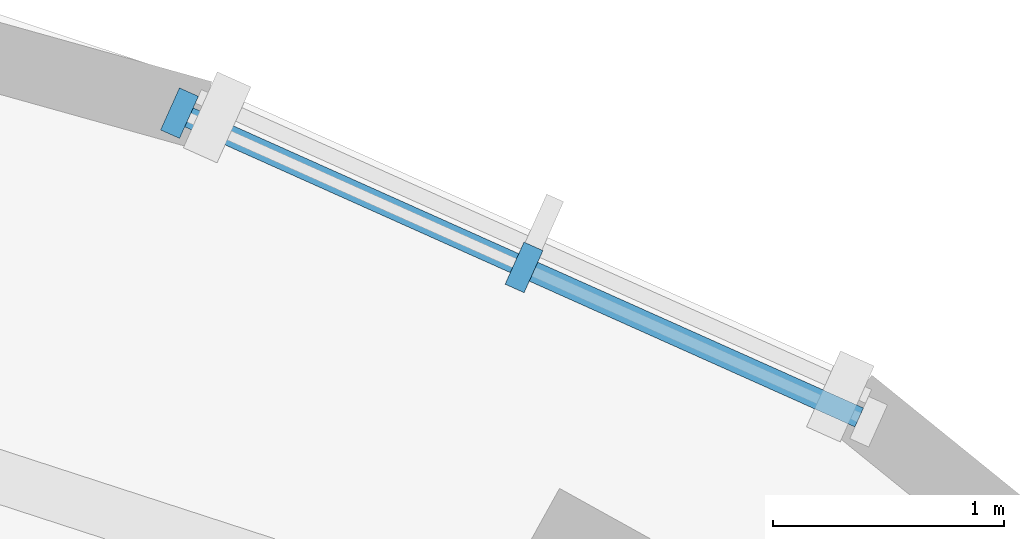
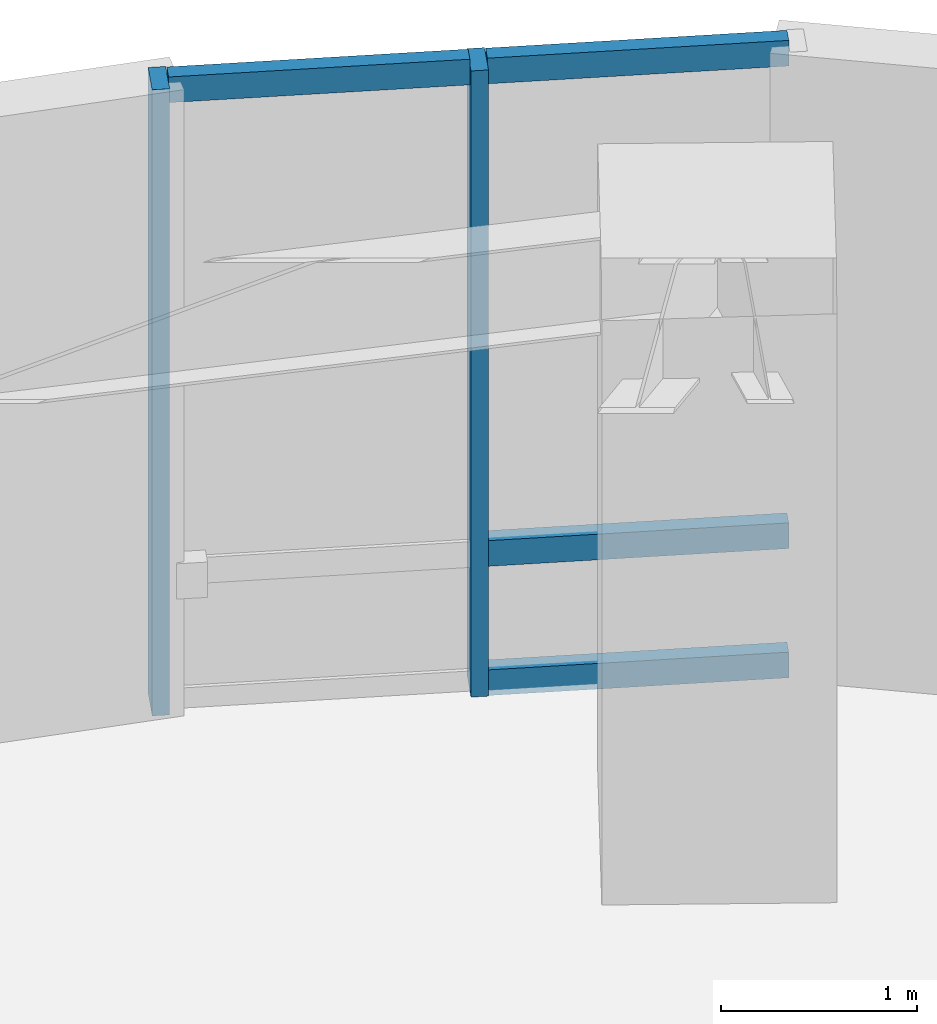
# One storey, part 5 of 13: 6 members, 1 element without a shape of its own.
"""IFC4 building model written with IfcOpenShell, lengths in metres."""

from ifc_helpers import new_model, si_unit, direction, frame, origin, origin_2d, place, context, subcontext, project, spatial, rectangle, extrude, material, layer, layer_set, material_profile, profile_set, type_object, element, aggregate, save


model = new_model("IFC4")

# Units and contexts
model_context = context("Model", 3, precision=1e-05, world=origin(), true_north=direction((0.0, 1.0)))
body_context = subcontext(model_context, "Body", "Model", "MODEL_VIEW")
ifc_project = project(units=[si_unit("LENGTHUNIT", "METRE"), si_unit("AREAUNIT", "SQUARE_METRE"), si_unit("VOLUMEUNIT", "CUBIC_METRE"), si_unit("PLANEANGLEUNIT", "RADIAN"), si_unit("MASSUNIT", "GRAM", prefix="KILO")], contexts=[model_context])

# Site, building, storey
site_placement = place(None, origin())
site = spatial("IfcSite", under=ifc_project, at=site_placement, CompositionType="ELEMENT")
building_placement = place(site_placement, origin())
building = spatial("IfcBuilding", under=site, at=building_placement, Name="Korentha Bioscience Tower", CompositionType="ELEMENT")
storey_placement = place(building_placement, frame((0.0, 0.0, 123.60009765625)))
storey = spatial("IfcBuildingStorey", under=building, at=storey_placement, Name="L28", CompositionType="ELEMENT", Elevation=123.60009765625)

# Curtain wall, members
ifc_material_1 = material(Name="Thermally Broken Aluminium Frame", Category="aluminium")
ifc_layer = layer(ifc_material_1, 0.219970703125, Name="Thermally Broken Aluminium Frame")
ifc_layer_set = layer_set([ifc_layer], Name="Thermally Broken Aluminium Frame (CW-T2)")
curtain_wall_type = type_object("IfcCurtainWallType", Name="Solar-Screened Lab Unitised Curtain Wall CW-T2", PredefinedType="USERDEFINED", material=ifc_layer_set)
curtain_wall_placement = place(storey_placement, origin())
curtain_wall = element("IfcCurtainWall", 1, at=curtain_wall_placement, inside=storey, type_object=curtain_wall_type, Name="L28 Curtain Wall 01", ObjectType="UNITISED", PredefinedType="USERDEFINED")
ifc_material_2 = material(Name="Anodised Aluminium 6063-T6", Category="aluminium")
ifc_material_profile_1 = material_profile(ifc_material_2, rectangle(XDim=0.090087890625, YDim=0.199951171875, at=origin_2d()), Name="Anodised Aluminium 6063-T6")
ifc_profile_set_1 = profile_set([ifc_material_profile_1], Name="Anodised Aluminium 6063-T6 (CW-MUL)")
member_type_1 = type_object("IfcMemberType", Name="Mullion RECT 90x200", PredefinedType="MULLION", material=ifc_profile_set_1)
member_1_placement = place(storey_placement, frame((48.871337890625, 45.72021484375, 0.0), z_axis=(0.0, 0.0, 1.0), x_axis=(-0.912686563127, 0.408660295952, 0.0)))
member_1 = element("IfcMember", 2, at=member_1_placement, type_object=member_type_1, Name="CW-L28-01 Mullion 2", PredefinedType="MULLION", context=body_context, shape_type="SweptSolid", body=[
    extrude(rectangle(XDim=0.090087890625, YDim=0.199951171875, at=origin_2d()), origin(), (0.0, 0.0, 1.0), 3.89990234375),
])
member_2_placement = place(storey_placement, frame((47.37890625, 46.388427734375, 0.0), z_axis=(0.0, 0.0, 1.0), x_axis=(-0.912686563127, 0.408660295952, 0.0)))
member_2 = element("IfcMember", 3, at=member_2_placement, type_object=member_type_1, Name="CW-L28-01 Mullion 3", PredefinedType="MULLION", context=body_context, shape_type="SweptSolid", body=[
    extrude(rectangle(XDim=0.090087890625, YDim=0.199951171875, at=origin_2d()), origin(), (0.0, 0.0, 1.0), 3.89990234375),
])
ifc_material_profile_2 = material_profile(ifc_material_2, rectangle(XDim=0.090087890625, YDim=0.159912109375, at=origin_2d()), Name="Anodised Aluminium 6063-T6")
ifc_profile_set_2 = profile_set([ifc_material_profile_2], Name="Anodised Aluminium 6063-T6 (CW-TRN)")
member_type_2 = type_object("IfcMemberType", Name="Transom RECT 90x160", PredefinedType="USERDEFINED", material=ifc_profile_set_2)
member_3_placement = place(storey_placement, frame((50.322998046875, 45.0703125, 0.044921875), z_axis=(-0.912753156119, 0.408511537162, 0.0), x_axis=(-0.408511537162, -0.912753156119, 0.0)))
member_3 = element("IfcMember", 4, at=member_3_placement, type_object=member_type_2, Name="CW-L28-01 Bay 1 Transom 1", ObjectType="TRANSOM", PredefinedType="USERDEFINED", context=body_context, shape_type="SweptSolid", body=[
    extrude(rectangle(XDim=0.090087890625, YDim=0.159912109375, at=origin_2d()), origin(), (0.0, 0.0, 1.0), 1.54541015625),
])
member_4_placement = place(storey_placement, frame((50.322998046875, 45.0703125, 0.849853515625), z_axis=(-0.912753156119, 0.408511537162, 0.0), x_axis=(-0.408511537162, -0.912753156119, 0.0)))
member_4 = element("IfcMember", 5, at=member_4_placement, type_object=member_type_2, Name="CW-L28-01 Bay 1 Transom 2", ObjectType="TRANSOM", PredefinedType="USERDEFINED", context=body_context, shape_type="SweptSolid", body=[
    extrude(rectangle(XDim=0.090087890625, YDim=0.159912109375, at=origin_2d()), origin(), (0.0, 0.0, 1.0), 1.54541015625),
])
member_5_placement = place(storey_placement, frame((50.322998046875, 45.0703125, 3.85498046875), z_axis=(-0.912753156119, 0.408511537162, 0.0), x_axis=(-0.408511537162, -0.912753156119, 0.0)))
member_5 = element("IfcMember", 6, at=member_5_placement, type_object=member_type_2, Name="CW-L28-01 Bay 1 Transom 3", ObjectType="TRANSOM", PredefinedType="USERDEFINED", context=body_context, shape_type="SweptSolid", body=[
    extrude(rectangle(XDim=0.090087890625, YDim=0.159912109375, at=origin_2d()), origin(), (0.0, 0.0, 1.0), 1.54541015625),
])
member_6_placement = place(storey_placement, frame((48.830322265625, 45.738525390625, 3.85498046875), z_axis=(-0.912667864607, 0.408702053962, 0.0), x_axis=(-0.408702053962, -0.912667864607, 0.0)))
member_6 = element("IfcMember", 7, at=member_6_placement, type_object=member_type_2, Name="CW-L28-01 Bay 2 Transom 3", ObjectType="TRANSOM", PredefinedType="USERDEFINED", context=body_context, shape_type="SweptSolid", body=[
    extrude(rectangle(XDim=0.090087890625, YDim=0.159912109375, at=origin_2d()), origin(), (0.0, 0.0, 1.0), 1.54541015625),
])
aggregate(curtain_wall, [member_1, member_2, member_3, member_4, member_5, member_6])

save(model, "model.ifc")
